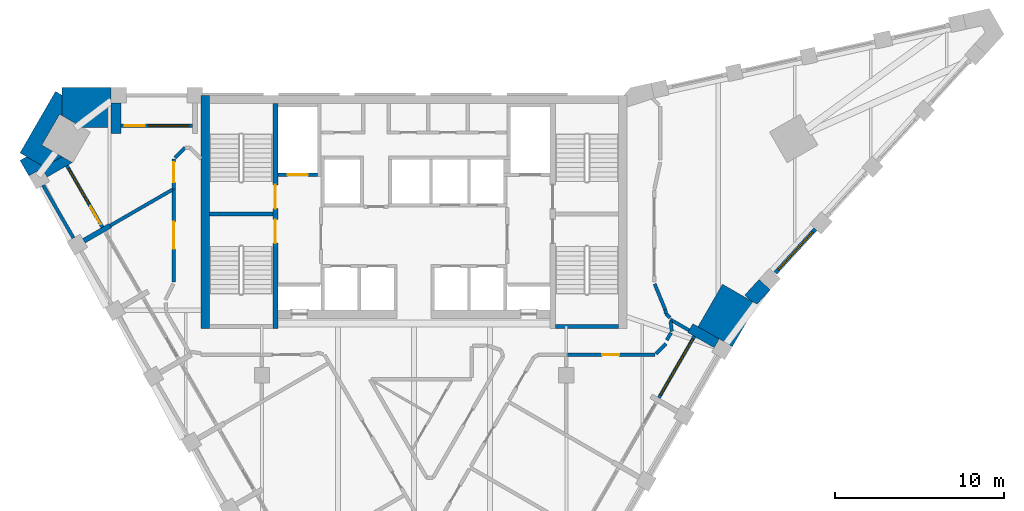
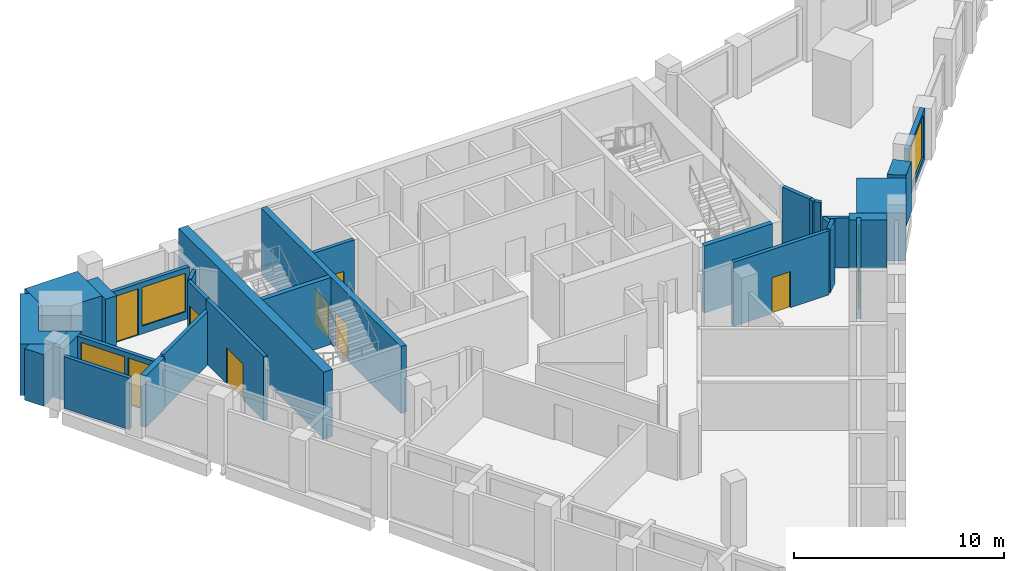
# One storey, part 5 of 9: 31 walls, 8 doors, 4 windows, 12 openings.
"""IFC4 building model written with IfcOpenShell, lengths in metres."""

from ifc_helpers import new_model, si_unit, direction, frame, frame_2d, origin, place, context, subcontext, project, spatial, polyline, rectangle, outline, extrude, material, layer, layer_set, type_object, element, fill, save


model = new_model("IFC4")

# Units and contexts
model_context = context("Model", 3, precision=1e-05, world=origin(), true_north=direction((0.0, 1.0)))
body_context = subcontext(model_context, "Body", "Model", "MODEL_VIEW")
ifc_project = project(units=[si_unit("LENGTHUNIT", "METRE"), si_unit("AREAUNIT", "SQUARE_METRE"), si_unit("VOLUMEUNIT", "CUBIC_METRE"), si_unit("PLANEANGLEUNIT", "RADIAN"), si_unit("MASSUNIT", "GRAM", prefix="KILO")], contexts=[model_context])

# Site, building, storey
site_placement = place(None, origin())
site = spatial("IfcSite", under=ifc_project, at=site_placement, CompositionType="ELEMENT")
building_placement = place(site_placement, origin())
building = spatial("IfcBuilding", under=site, at=building_placement, Name="Calabash Gate Tower", CompositionType="ELEMENT")
storey_placement = place(building_placement, frame((0.0, 0.0, 287.199951171875)))
storey = spatial("IfcBuildingStorey", under=building, at=storey_placement, Name="L69", CompositionType="ELEMENT", Elevation=287.199951171875)

# Walls
ifc_material_1 = material(Name="Terracotta brick masonry, exposed face", Category="masonry")
ifc_layer_1 = layer(ifc_material_1, 2.35009765625)
ifc_layer_set_1 = layer_set([ifc_layer_1], Name="Brick corner mass wall 2350")
wall_type_1 = type_object("IfcWallType", Name="Brick corner mass wall 2350", PredefinedType="SOLIDWALL", material=ifc_layer_set_1)
wall_1_placement = place(storey_placement, origin())
element("IfcWall", 1, at=wall_1_placement, inside=storey, type_object=wall_type_1, Name="Brick corner pier S21 2", PredefinedType="SOLIDWALL", context=body_context, shape_type="SweptSolid", body=[
    extrude(outline(polyline([(18.82275390625, 4.19482421875), (18.822509765625, 4.1943359375), (18.822509765625, 4.1943359375), (20.271240234375, 6.703125), (18.236083984375, 7.878173828125), (16.787353515625, 5.369140625), (18.04296875, 4.644287109375), (18.043212890625, 4.644775390625), (18.82275390625, 4.19482421875)])), origin(), (0.0, 0.0, 1.0), 2.80810546875),
])
wall_2_placement = place(storey_placement, origin())
element("IfcWall", 2, at=wall_2_placement, inside=storey, type_object=wall_type_1, Name="Brick corner pier S21 3a", PredefinedType="SOLIDWALL", context=body_context, shape_type="SweptSolid", body=[
    extrude(outline(polyline([(-19.6171875, 17.152587890625), (-17.915771484375, 17.152587890625), (-17.915771484375, 18.60302734375), (-17.916015625, 18.60302734375), (-17.916015625, 19.50244140625), (-20.812744140625, 19.50244140625), (-20.812744140625, 17.8427734375), (-19.6171875, 17.152587890625)])), origin(), (0.0, 0.0, 1.0), 3.0),
])
wall_3_placement = place(storey_placement, origin())
element("IfcWall", 3, at=wall_3_placement, inside=storey, type_object=wall_type_1, Name="Brick corner pier S21 3b", PredefinedType="SOLIDWALL", context=body_context, shape_type="SweptSolid", body=[
    extrude(outline(polyline([(-20.957275390625, 17.92626953125), (-20.812744140625, 17.8427734375), (-20.812744140625, 19.052490234375), (-21.202392578125, 19.277587890625), (-23.301025390625, 15.64306640625), (-21.862548828125, 14.8125), (-20.813232421875, 15.418212890625), (-22.00732421875, 16.107666015625), (-20.957275390625, 17.92626953125)])), origin(), (0.0, 0.0, 1.0), 3.0),
])
wall_4_placement = place(storey_placement, origin())
element("IfcWall", 4, at=wall_4_placement, inside=storey, type_object=wall_type_1, Name="Brick corner pier S21 3c", PredefinedType="SOLIDWALL", context=body_context, shape_type="SweptSolid", body=[
    extrude(outline(polyline([(-21.997314453125, 14.734619140625), (-21.862548828125, 14.8125), (-22.9111328125, 15.41796875), (-23.301025390625, 15.19287109375), (-22.776611328125, 14.28466796875), (-21.997314453125, 14.734619140625), (-21.997314453125, 14.734619140625)])), origin(), (0.0, 0.0, 1.0), 3.0),
])
ifc_material_2 = material(Name="Terracotta brick masonry, exposed face", Category="masonry")
ifc_layer_2 = layer(ifc_material_2, 0.89990234375)
ifc_layer_set_2 = layer_set([ifc_layer_2], Name="Brick end wall 900")
wall_type_2 = type_object("IfcWallType", Name="Brick end wall 900", PredefinedType="SOLIDWALL", material=ifc_layer_set_2)
wall_5_placement = place(storey_placement, origin())
element("IfcWall", 5, at=wall_5_placement, inside=storey, type_object=wall_type_2, Name="Brick end wall S21 1", PredefinedType="SOLIDWALL", context=body_context, shape_type="SweptSolid", body=[
    extrude(outline(polyline([(20.394775390625, 8.15625), (19.54931640625, 7.23193359375), (19.88134765625, 6.92822265625), (20.271240234375, 6.703125), (20.24658203125, 6.66064453125), (21.058837890625, 7.548828125), (20.394775390625, 8.15625)])), origin(), (0.0, 0.0, 1.0), 2.9736328125),
])
ifc_material_3 = material(Name="Terracotta brick masonry, exposed face", Category="masonry")
ifc_layer_3 = layer(ifc_material_3, 0.300048828125)
ifc_layer_set_3 = layer_set([ifc_layer_3], Name="Brick loggia cheek wall 300")
wall_type_3 = type_object("IfcWallType", Name="Brick loggia cheek wall 300", PredefinedType="SOLIDWALL", material=ifc_layer_set_3)
wall_6_placement = place(storey_placement, origin())
element("IfcWall", 6, at=wall_6_placement, inside=storey, type_object=wall_type_3, Name="Loggia cheek S21 SW0.0", PredefinedType="SOLIDWALL", context=body_context, shape_type="SweptSolid", body=[
    extrude(outline(polyline([(-21.9970703125, 14.73486328125), (-21.697265625, 14.215087890625), (-20.21337890625, 15.07177734375), (-20.813232421875, 15.418212890625), (-21.9970703125, 14.73486328125)])), origin(), (0.0, 0.0, 1.0), 3.0),
])
wall_7_placement = place(storey_placement, frame((-17.96337890625, 11.347900390625, 0.0), z_axis=(0.0, 0.0, 1.0), x_axis=(-0.866047807691, -0.499961193289, 0.0)))
element("IfcWall", 7, at=wall_7_placement, inside=storey, type_object=wall_type_3, Name="Loggia cheek S21 SW0.1", PredefinedType="SOLIDWALL", context=body_context, shape_type="SweptSolid", body=[
    extrude(rectangle(XDim=1.800048828125, YDim=0.300048828125, at=frame_2d((0.89990234375, 0.0))), origin(), (0.0, 0.0, 1.0), 3.0),
])
wall_8_placement = place(storey_placement, frame((17.89306640625, 4.384521484375, 0.0), z_axis=(0.0, 0.0, 1.0), x_axis=(-0.866047807691, 0.499961193289, 0.0)))
element("IfcWall", 8, at=wall_8_placement, inside=storey, type_object=wall_type_3, Name="Loggia cheek S21 SE2.6", PredefinedType="SOLIDWALL", context=body_context, shape_type="SweptSolid", body=[
    extrude(rectangle(XDim=1.800048828125, YDim=0.60009765625, at=frame_2d((0.89990234375, 0.0))), origin(), (0.0, 0.0, 1.0), 2.80810546875),
])
wall_9_placement = place(storey_placement, origin())
element("IfcWall", 9, at=wall_9_placement, inside=storey, type_object=wall_type_3, Name="Loggia cheek S21 N6.6", PredefinedType="SOLIDWALL", context=body_context, shape_type="SweptSolid", body=[
    extrude(outline(polyline([(-17.915771484375, 18.6025390625), (-17.915771484375, 16.802490234375), (-17.315673828125, 16.802490234375), (-17.315673828125, 18.6025390625), (-17.915771484375, 18.6025390625)])), origin(), (0.0, 0.0, 1.0), 3.0),
])
ifc_material_4 = material(Name="Concrete C60/75", Category="concrete")
ifc_layer_4 = layer(ifc_material_4, 0.25)
ifc_layer_set_4 = layer_set([ifc_layer_4], Name="Core wall 250 Concrete C60/75")
wall_type_4 = type_object("IfcWallType", Name="Core wall 250 Concrete C60/75", PredefinedType="SHEAR", material=ifc_layer_set_4)
for number, where, z_axis, x_axis, name in (
    (10, (-12.10009765625, 12.027587890625, 0.0), (0.0, 0.0, 1.0), (1.0, 0.0, 0.0), "Core wall Z5-MIDW L69"),
    (11, (8.35009765625, 5.377685546875, 0.0), (0.0, 0.0, 1.0), (1.0, 0.0, 0.0), "Core wall Z5-SSE L69"),
):
    element("IfcWall", number, at=place(storey_placement, frame(where, z_axis=z_axis, x_axis=x_axis)), inside=storey, type_object=wall_type_4, Name=name, PredefinedType="SHEAR", context=body_context, shape_type="SweptSolid", body=[
        extrude(rectangle(XDim=3.75, YDim=0.25, at=frame_2d((1.875, 0.0))), origin(), (0.0, 0.0, 1.0), 3.900146484375),
    ])

# Wall, openings, doors
ifc_material_5 = material(Name="Concrete C60/75", Category="concrete")
ifc_layer_5 = layer(ifc_material_5, 0.300048828125)
ifc_layer_set_5 = layer_set([ifc_layer_5], Name="Core wall 300 Concrete C60/75")
wall_type_5 = type_object("IfcWallType", Name="Core wall 300 Concrete C60/75", PredefinedType="SHEAR", material=ifc_layer_set_5)
wall_10_placement = place(storey_placement, frame((-8.199951171875, 5.252685546875, 0.0), z_axis=(0.0, 0.0, 1.0), x_axis=(0.0, 1.0, 0.0)))
wall_10 = element("IfcWall", 12, at=wall_10_placement, inside=storey, type_object=wall_type_5, Name="Core wall Z5-PARTW L69", PredefinedType="SHEAR", context=body_context, shape_type="SweptSolid", body=[
    extrude(rectangle(XDim=13.2998046875, YDim=0.300048828125, at=frame_2d((6.64990234375, 0.0))), origin(), (0.0, 0.0, 1.0), 3.900146484375),
])
opening_1_placement = place(wall_10_placement, frame((7.10009765625, 0.0, 0.0)))
opening_1 = element("IfcOpeningElement", 13, at=opening_1_placement, cuts=wall_10, Name="Opening O13-010", PredefinedType="OPENING", context=body_context, shape_type="SweptSolid", body=[
    extrude(rectangle(XDim=1.39990234375, YDim=2.10009765625, at=frame_2d((0.699951171875, 1.050048828125))), frame((0.0, 0.159912109375, 0.0), z_axis=(0.0, -1.0, 0.0), x_axis=(1.0, 0.0, 0.0)), (0.0, 0.0, 1.0), 0.320068359375),
])
opening_2_placement = place(wall_10_placement, frame((5.050048828125, 0.0, 0.0)))
opening_2 = element("IfcOpeningElement", 14, at=opening_2_placement, cuts=wall_10, Name="Opening O13-011", PredefinedType="OPENING", context=body_context, shape_type="SweptSolid", body=[
    extrude(rectangle(XDim=1.39990234375, YDim=2.10009765625, at=frame_2d((0.699951171875, 1.050048828125))), frame((0.0, 0.159912109375, 0.0), z_axis=(0.0, -1.0, 0.0), x_axis=(1.0, 0.0, 0.0)), (0.0, 0.0, 1.0), 0.320068359375),
])
ifc_material_6 = material(Name="Steel fire door set with fire-resisting glazing", Category="steel")
door_type_1 = type_object("IfcDoorType", Name="Fire door D05 1400x2100 FD90", OperationType="NOTDEFINED", PredefinedType="DOOR", material=ifc_material_6)
door_1_placement = place(opening_1_placement, origin())
door_1 = element("IfcDoor", 15, at=door_1_placement, inside=storey, type_object=door_type_1, Name="Exit stair door ST1", OperationType="SINGLE_SWING_LEFT", OverallHeight=2.10009765625, OverallWidth=1.39990234375, PredefinedType="DOOR", context=body_context, shape_type="SweptSolid", body=[
    extrude(rectangle(XDim=1.39990234375, YDim=2.10009765625, at=frame_2d((0.699951171875, 1.050048828125))), frame((0.0, 0.02490234375, 0.0), z_axis=(0.0, -1.0, 0.0), x_axis=(1.0, 0.0, 0.0)), (0.0, 0.0, 1.0), 0.050048828125),
])
fill(opening_1, door_1)
door_2_placement = place(opening_2_placement, origin())
door_2 = element("IfcDoor", 16, at=door_2_placement, inside=storey, type_object=door_type_1, Name="Exit stair door ST2", OperationType="SINGLE_SWING_LEFT", OverallHeight=2.10009765625, OverallWidth=1.39990234375, PredefinedType="DOOR", context=body_context, shape_type="SweptSolid", body=[
    extrude(rectangle(XDim=1.39990234375, YDim=2.10009765625, at=frame_2d((0.699951171875, 1.050048828125))), frame((0.0, 0.02490234375, 0.0), z_axis=(0.0, -1.0, 0.0), x_axis=(1.0, 0.0, 0.0)), (0.0, 0.0, 1.0), 0.050048828125),
])
fill(opening_2, door_2)

# Wall
ifc_material_7 = material(Name="Concrete C60/75", Category="concrete")
ifc_layer_6 = layer(ifc_material_7, 0.5)
ifc_layer_set_6 = layer_set([ifc_layer_6], Name="Core wall 500 Concrete C60/75")
wall_type_6 = type_object("IfcWallType", Name="Core wall 500 Concrete C60/75", PredefinedType="SHEAR", material=ifc_layer_set_6)
wall_11_placement = place(storey_placement, frame((-12.35009765625, 5.252685546875, 0.0), z_axis=(0.0, 0.0, 1.0), x_axis=(0.0, 1.0, 0.0)))
element("IfcWall", 17, at=wall_11_placement, inside=storey, type_object=wall_type_6, Name="Core wall Z5-COLW L69", PredefinedType="SHEAR", context=body_context, shape_type="SweptSolid", body=[
    extrude(rectangle(XDim=13.7998046875, YDim=0.5, at=frame_2d((6.89990234375, 0.0))), origin(), (0.0, 0.0, 1.0), 3.900146484375),
])

# Wall, opening, door
ifc_material_8 = material(Name="Gypsum board on steel studs, mineral wool", Category="steel")
ifc_layer_7 = layer(ifc_material_8, 0.199951171875)
ifc_layer_set_7 = layer_set([ifc_layer_7], Name="Partition 200 gypsum board EI 60")
wall_type_7 = type_object("IfcWallType", Name="Partition 200 gypsum board EI 60", PredefinedType="PARTITIONING", material=ifc_layer_set_7)
wall_12_placement = place(storey_placement, frame((9.0, 3.697998046875, 0.0), z_axis=(0.0, 0.0, 1.0), x_axis=(0.999999960926, 0.000279550844, 0.0)))
wall_12 = element("IfcWall", 18, at=wall_12_placement, inside=storey, type_object=wall_type_7, Name="Partition", PredefinedType="PARTITIONING", context=body_context, shape_type="SweptSolid", body=[
    extrude(rectangle(XDim=5.239990234375, YDim=0.199951171875, at=frame_2d((2.6201171875, 0.0))), origin(), (0.0, 0.0, 1.0), 3.72998046875),
])
opening_3_placement = place(wall_12_placement, frame((2.118896484375, 0.0, 0.0)))
opening_3 = element("IfcOpeningElement", 19, at=opening_3_placement, cuts=wall_12, Name="Opening 69-70-009", PredefinedType="OPENING", context=body_context, shape_type="SweptSolid", body=[
    extrude(rectangle(XDim=1.0, YDim=2.10009765625, at=frame_2d((0.5, 1.050048828125))), frame((0.0, 0.10986328125, 0.0), z_axis=(0.0, -1.0, 0.0), x_axis=(1.0, 0.0, 0.0)), (0.0, 0.0, 1.0), 0.219970703125),
])
ifc_material_9 = material(Name="Steel fire door set with fire-resisting glazing", Category="steel")
door_type_2 = type_object("IfcDoorType", Name="LD2 Meeting room door 1000x2100", OperationType="NOTDEFINED", PredefinedType="DOOR", material=ifc_material_9)
door_3_placement = place(opening_3_placement, origin())
door_3 = element("IfcDoor", 20, at=door_3_placement, inside=storey, type_object=door_type_2, Name="Meeting room door", OperationType="SINGLE_SWING_LEFT", OverallHeight=2.10009765625, OverallWidth=1.0, PredefinedType="DOOR", context=body_context, shape_type="SweptSolid", body=[
    extrude(rectangle(XDim=1.0, YDim=2.10009765625, at=frame_2d((0.5, 1.050048828125))), frame((0.0, 0.02490234375, 0.0), z_axis=(0.0, -1.0, 0.0), x_axis=(1.0, 0.0, 0.0)), (0.0, 0.0, 1.0), 0.050048828125),
])
fill(opening_3, door_3)

# Walls
wall_13_placement = place(storey_placement, frame((14.310791015625, 3.770263671875, 0.0), z_axis=(0.0, 0.0, 1.0), x_axis=(0.707253195258, 0.706960336792, 0.0)))
element("IfcWall", 21, at=wall_13_placement, inside=storey, type_object=wall_type_7, Name="Partition", PredefinedType="PARTITIONING", context=body_context, shape_type="SweptSolid", body=[
    extrude(rectangle(XDim=0.833740234375, YDim=0.199951171875, at=frame_2d((0.4169921875, 0.0))), origin(), (0.0, 0.0, 1.0), 3.72998046875),
])
wall_14_placement = place(storey_placement, frame((14.94384765625, 4.5751953125, 0.0), z_axis=(0.0, 0.0, 1.0), x_axis=(0.500261223325, 0.865874533889, 0.0)))
element("IfcWall", 22, at=wall_14_placement, inside=storey, type_object=wall_type_7, Name="Partition", PredefinedType="PARTITIONING", context=body_context, shape_type="SweptSolid", body=[
    extrude(rectangle(XDim=0.496826171875, YDim=0.199951171875, at=frame_2d((0.24853515625, 0.0))), origin(), (0.0, 0.0, 1.0), 2.9501953125),
])
wall_15_placement = place(storey_placement, frame((15.150146484375, 5.79248046875, 0.0), z_axis=(0.0, 0.0, 1.0), x_axis=(0.866759924499, -0.49872560921, 0.0)))
element("IfcWall", 23, at=wall_15_placement, inside=storey, type_object=wall_type_7, Name="Partition", PredefinedType="PARTITIONING", context=body_context, shape_type="SweptSolid", body=[
    extrude(rectangle(XDim=1.279541015625, YDim=0.199951171875, at=frame_2d((0.6396484375, 0.0))), origin(), (0.0, 0.0, 1.0), 2.884033203125),
])
wall_16_placement = place(storey_placement, frame((15.164306640625, 5.694580078125, 0.0), z_axis=(0.0, 0.0, 1.0), x_axis=(0.128583301344, -0.991698711613, 0.0)))
element("IfcWall", 24, at=wall_16_placement, inside=storey, type_object=wall_type_7, Name="Partition", PredefinedType="PARTITIONING", context=body_context, shape_type="SweptSolid", body=[
    extrude(rectangle(XDim=0.607666015625, YDim=0.199951171875, at=frame_2d((0.3037109375, 0.0))), origin(), (0.0, 0.0, 1.0), 2.9501953125),
])
wall_17_placement = place(storey_placement, frame((14.8994140625, 6.127197265625, 0.0), z_axis=(0.0, 0.0, 1.0), x_axis=(0.707106781187, -0.707106781187, 0.0)))
element("IfcWall", 25, at=wall_17_placement, inside=storey, type_object=wall_type_7, Name="Partition", PredefinedType="PARTITIONING", context=body_context, shape_type="SweptSolid", body=[
    extrude(rectangle(XDim=0.336669921875, YDim=0.199951171875, at=frame_2d((0.16845703125, 0.0))), origin(), (0.0, 0.0, 1.0), 3.72998046875),
])
wall_18_placement = place(storey_placement, frame((14.8505859375, 6.37353515625, 0.0), z_axis=(0.0, 0.0, 1.0), x_axis=(0.194433250977, -0.980915751181, 0.0)))
element("IfcWall", 26, at=wall_18_placement, inside=storey, type_object=wall_type_7, Name="Partition", PredefinedType="PARTITIONING", context=body_context, shape_type="SweptSolid", body=[
    extrude(rectangle(XDim=0.251220703125, YDim=0.199951171875, at=frame_2d((0.12548828125, 0.0))), origin(), (0.0, 0.0, 1.0), 3.72998046875),
])
wall_19_placement = place(storey_placement, frame((14.22509765625, 7.892822265625, 0.0), z_axis=(0.0, 0.0, 1.0), x_axis=(0.380697489052, -0.924699638709, 0.0)))
element("IfcWall", 27, at=wall_19_placement, inside=storey, type_object=wall_type_7, Name="Partition", PredefinedType="PARTITIONING", context=body_context, shape_type="SweptSolid", body=[
    extrude(rectangle(XDim=1.64306640625, YDim=0.199951171875, at=frame_2d((0.821533203125, 0.0))), origin(), (0.0, 0.0, 1.0), 3.72998046875),
])

# Wall, opening, door
wall_20_placement = place(storey_placement, frame((-14.201904296875, 13.51953125, 0.0), z_axis=(0.0, 0.0, 1.0), x_axis=(0.000266228859, -0.999999964561, 0.0)))
wall_20 = element("IfcWall", 28, at=wall_20_placement, inside=storey, type_object=wall_type_7, Name="Partition", PredefinedType="PARTITIONING", context=body_context, shape_type="SweptSolid", body=[
    extrude(rectangle(XDim=5.502197265625, YDim=0.199951171875, at=frame_2d((2.7509765625, 0.0))), origin(), (0.0, 0.0, 1.0), 3.72998046875),
])
opening_4_placement = place(wall_20_placement, frame((1.94970703125, 0.0, 0.0)))
opening_4 = element("IfcOpeningElement", 29, at=opening_4_placement, cuts=wall_20, Name="Opening 69-70-005", PredefinedType="OPENING", context=body_context, shape_type="SweptSolid", body=[
    extrude(rectangle(XDim=1.60009765625, YDim=2.10009765625, at=frame_2d((0.800048828125, 1.050048828125))), frame((0.0, 0.10986328125, 0.0), z_axis=(0.0, -1.0, 0.0), x_axis=(1.0, 0.0, 0.0)), (0.0, 0.0, 1.0), 0.219970703125),
])
ifc_material_10 = material(Name="Steel fire door set with fire-resisting glazing", Category="steel")
door_type_3 = type_object("IfcDoorType", Name="LD1 Lounge double door 1600x2100", OperationType="NOTDEFINED", PredefinedType="DOOR", material=ifc_material_10)
door_4_placement = place(opening_4_placement, origin())
door_4 = element("IfcDoor", 30, at=door_4_placement, inside=storey, type_object=door_type_3, Name="Lounge double door", OperationType="DOUBLE_DOOR_SINGLE_SWING", OverallHeight=2.10009765625, OverallWidth=1.60009765625, PredefinedType="DOOR", context=body_context, shape_type="SweptSolid", body=[
    extrude(rectangle(XDim=1.60009765625, YDim=2.10009765625, at=frame_2d((0.800048828125, 1.050048828125))), frame((0.0, 0.02490234375, 0.0), z_axis=(0.0, -1.0, 0.0), x_axis=(1.0, 0.0, 0.0)), (0.0, 0.0, 1.0), 0.050048828125),
])
fill(opening_4, door_4)

# Wall
wall_21_placement = place(storey_placement, frame((-17.96337890625, 11.34814453125, 0.0), z_axis=(0.0, 0.0, 1.0), x_axis=(0.866018937599, 0.500011199594, 0.0)))
element("IfcWall", 31, at=wall_21_placement, inside=storey, type_object=wall_type_7, Name="Partition", PredefinedType="PARTITIONING", context=body_context, shape_type="SweptSolid", body=[
    extrude(rectangle(XDim=4.2451171875, YDim=0.199951171875, at=frame_2d((2.12255859375, 0.0))), origin(), (0.0, 0.0, 1.0), 3.1279296875),
])

# Wall, opening, door
wall_22_placement = place(storey_placement, frame((-14.200439453125, 13.5205078125, 0.0), z_axis=(0.0, 0.0, 1.0), x_axis=(0.0, 1.0, 0.0)))
wall_22 = element("IfcWall", 32, at=wall_22_placement, inside=storey, type_object=wall_type_7, Name="Partition", PredefinedType="PARTITIONING", context=body_context, shape_type="SweptSolid", body=[
    extrude(rectangle(XDim=1.7724609375, YDim=0.199951171875, at=frame_2d((0.88623046875, 0.0))), origin(), (0.0, 0.0, 1.0), 3.72998046875),
])
opening_5_placement = place(wall_22_placement, frame((0.385009765625, 0.0, 0.0)))
opening_5 = element("IfcOpeningElement", 33, at=opening_5_placement, cuts=wall_22, Name="Opening 69-70-006", PredefinedType="OPENING", context=body_context, shape_type="SweptSolid", body=[
    extrude(rectangle(XDim=1.199951171875, YDim=2.39990234375, at=frame_2d((0.60009765625, 1.199951171875))), frame((0.0, 0.10986328125, 0.0), z_axis=(0.0, -1.0, 0.0), x_axis=(1.0, 0.0, 0.0)), (0.0, 0.0, 1.0), 0.219970703125),
])
ifc_material_11 = material(Name="Steel fire door set with fire-resisting glazing", Category="steel")
door_type_4 = type_object("IfcDoorType", Name="OD3 Boardroom door 1200x2400", OperationType="NOTDEFINED", PredefinedType="DOOR", material=ifc_material_11)
door_5_placement = place(opening_5_placement, origin())
door_5 = element("IfcDoor", 34, at=door_5_placement, inside=storey, type_object=door_type_4, Name="Boardroom door", OperationType="SINGLE_SWING_LEFT", OverallHeight=2.39990234375, OverallWidth=1.199951171875, PredefinedType="DOOR", context=body_context, shape_type="SweptSolid", body=[
    extrude(rectangle(XDim=1.199951171875, YDim=2.39990234375, at=frame_2d((0.60009765625, 1.199951171875))), frame((0.0, 0.02490234375, 0.0), z_axis=(0.0, -1.0, 0.0), x_axis=(1.0, 0.0, 0.0)), (0.0, 0.0, 1.0), 0.050048828125),
])
fill(opening_5, door_5)

# Wall
wall_23_placement = place(storey_placement, frame((-14.129638671875, 15.363525390625, 0.0), z_axis=(0.0, 0.0, 1.0), x_axis=(0.707106781187, 0.707106781187, 0.0)))
element("IfcWall", 35, at=wall_23_placement, inside=storey, type_object=wall_type_7, Name="Partition", PredefinedType="PARTITIONING", context=body_context, shape_type="SweptSolid", body=[
    extrude(rectangle(XDim=0.833740234375, YDim=0.199951171875, at=frame_2d((0.4169921875, 0.0))), origin(), (0.0, 0.0, 1.0), 3.72998046875),
])

# Wall, opening, window
ifc_material_12 = material(Name="Aluminium framed window wall with insulated spandrel", Category="aluminium")
ifc_layer_8 = layer(ifc_material_12, 0.25)
ifc_layer_set_8 = layer_set([ifc_layer_8], Name="Prow window wall 250")
wall_type_8 = type_object("IfcWallType", Name="Prow window wall 250", PredefinedType="ELEMENTEDWALL", material=ifc_layer_set_8)
wall_24_placement = place(storey_placement, frame((21.367919921875, 8.5537109375, 0.0), z_axis=(0.0, 0.0, 1.0), x_axis=(0.67487449122, 0.737932531537, 0.0)))
wall_24 = element("IfcWall", 36, at=wall_24_placement, inside=storey, type_object=wall_type_8, Name="Prow window wall S21 wedge3.1", PredefinedType="ELEMENTEDWALL", context=body_context, shape_type="SweptSolid", body=[
    extrude(rectangle(XDim=3.5, YDim=0.25, at=frame_2d((1.75, 0.0))), origin(), (0.0, 0.0, 1.0), 3.0),
])
opening_6_placement = place(wall_24_placement, frame((0.25, 0.0, 0.300048828125)))
opening_6 = element("IfcOpeningElement", 37, at=opening_6_placement, cuts=wall_24, Name="Opening WP2", PredefinedType="OPENING", context=body_context, shape_type="SweptSolid", body=[
    extrude(rectangle(XDim=3.0, YDim=2.5, at=frame_2d((1.5, 1.25))), frame((0.0, 0.135009765625, 0.0), z_axis=(0.0, -1.0, 0.0), x_axis=(1.0, 0.0, 0.0)), (0.0, 0.0, 1.0), 0.27001953125),
])
ifc_material_13 = material(Name="Anodised aluminium frame, bronze finish, impact-rated laminated clear glazing", Category="aluminium")
window_type_1 = type_object("IfcWindowType", Name="Window WP2 3000x2500", PartitioningType="DOUBLE_PANEL_VERTICAL", PredefinedType="WINDOW", material=ifc_material_13)
window_1_placement = place(opening_6_placement, origin())
window_1 = element("IfcWindow", 38, at=window_1_placement, inside=storey, type_object=window_type_1, Name="Prow window WP2 S21 wedge3.1", OverallHeight=2.5, OverallWidth=3.0, PartitioningType="SINGLE_PANEL", PredefinedType="WINDOW", context=body_context, shape_type="SweptSolid", body=[
    extrude(rectangle(XDim=3.0, YDim=2.5, at=frame_2d((1.5, 1.25))), frame((0.0, 0.030029296875, 0.0), z_axis=(0.0, -1.0, 0.0), x_axis=(1.0, 0.0, 0.0)), (0.0, 0.0, 1.0), 0.06005859375),
])
fill(opening_6, window_1)

# Wall, opening, door
ifc_material_14 = material(Name="Concrete C40/50", Category="concrete")
ifc_layer_9 = layer(ifc_material_14, 0.199951171875)
ifc_layer_set_9 = layer_set([ifc_layer_9], Name="Shaft wall 200 Concrete C40/50")
wall_type_9 = type_object("IfcWallType", Name="Shaft wall 200 Concrete C40/50", PredefinedType="SOLIDWALL", material=ifc_layer_set_9)
wall_25_placement = place(storey_placement, frame((-8.050048828125, 14.3525390625, 0.0), z_axis=(0.0, 0.0, 1.0), x_axis=(1.0, 0.0, 0.0)))
wall_25 = element("IfcWall", 39, at=wall_25_placement, inside=storey, type_object=wall_type_9, Name="Shaft wall", PredefinedType="SOLIDWALL", context=body_context, shape_type="SweptSolid", body=[
    extrude(rectangle(XDim=2.35009765625, YDim=0.199951171875, at=frame_2d((1.175048828125, 0.0))), origin(), (0.0, 0.0, 1.0), 3.72998046875),
])
opening_7_placement = place(wall_25_placement, frame((0.574951171875, 0.0, 0.0)))
opening_7 = element("IfcOpeningElement", 40, at=opening_7_placement, cuts=wall_25, Name="Opening LD-FF1", PredefinedType="OPENING", context=body_context, shape_type="SweptSolid", body=[
    extrude(rectangle(XDim=1.199951171875, YDim=2.10009765625, at=frame_2d((0.60009765625, 1.050048828125))), frame((0.0, 0.10986328125, 0.0), z_axis=(0.0, -1.0, 0.0), x_axis=(1.0, 0.0, 0.0)), (0.0, 0.0, 1.0), 0.219970703125),
])
ifc_material_15 = material(Name="Stainless steel sliding door leaves", Category="steel")
door_type_5 = type_object("IfcDoorType", Name="Lift landing door LS3 1200x2100 FD90", OperationType="DOUBLE_DOOR_SLIDING", PredefinedType="DOOR", material=ifc_material_15)
door_6_placement = place(opening_7_placement, origin())
door_6 = element("IfcDoor", 41, at=door_6_placement, inside=storey, type_object=door_type_5, Name="Lift landing door FF1", OperationType="DOUBLE_DOOR_SLIDING", OverallHeight=2.10009765625, OverallWidth=1.199951171875, PredefinedType="DOOR", context=body_context, shape_type="SweptSolid", body=[
    extrude(rectangle(XDim=1.199951171875, YDim=2.10009765625, at=frame_2d((0.60009765625, 1.050048828125))), frame((0.0, 0.02490234375, 0.0), z_axis=(0.0, -1.0, 0.0), x_axis=(1.0, 0.0, 0.0)), (0.0, 0.0, 1.0), 0.050048828125),
])
fill(opening_7, door_6)

# Wall
ifc_material_16 = material(Name="Terracotta brick masonry, perforated", Category="masonry")
ifc_layer_10 = layer(ifc_material_16, 0.199951171875)
ifc_layer_set_10 = layer_set([ifc_layer_10], Name="Terracotta jaali screen A")
wall_type_10 = type_object("IfcWallType", Name="Terracotta jaali screen A", PredefinedType="SOLIDWALL", material=ifc_layer_set_10)
wall_26_placement = place(storey_placement, frame((-21.936767578125, 13.73046875, 0.0), z_axis=(0.0, 0.0, 1.0), x_axis=(0.499931829785, -0.866064758299, 0.0)))
element("IfcWall", 42, at=wall_26_placement, inside=storey, type_object=wall_type_10, Name="SCREEN A S21 SW0.1", PredefinedType="SOLIDWALL", context=body_context, shape_type="SweptSolid", body=[
    extrude(rectangle(XDim=3.60009765625, YDim=0.199951171875, at=frame_2d((1.800048828125, 0.0))), origin(), (0.0, 0.0, 1.0), 3.0),
])

# Wall, openings, door, window
ifc_material_17 = material(Name="Aluminium framed window wall with insulated spandrel", Category="aluminium")
ifc_layer_11 = layer(ifc_material_17, 0.199951171875)
ifc_layer_set_11 = layer_set([ifc_layer_11], Name="Window wall 200")
wall_type_11 = type_object("IfcWallType", Name="Window wall 200", PredefinedType="ELEMENTEDWALL", material=ifc_layer_set_11)
wall_27_placement = place(storey_placement, frame((-20.528076171875, 14.89013671875, 0.0), z_axis=(0.0, 0.0, 1.0), x_axis=(0.500027713859, -0.866009402589, 0.0)))
wall_27 = element("IfcWall", 43, at=wall_27_placement, inside=storey, type_object=wall_type_11, Name="Window wall S21 SW0.1", PredefinedType="ELEMENTEDWALL", context=body_context, shape_type="SweptSolid", body=[
    extrude(rectangle(XDim=4.199951171875, YDim=0.199951171875, at=frame_2d((2.10009765625, 0.0))), origin(), (0.0, 0.0, 1.0), 3.0),
])
opening_8_placement = place(wall_27_placement, frame((0.199951171875, 0.0, 0.449951171875)))
opening_8 = element("IfcOpeningElement", 44, at=opening_8_placement, cuts=wall_27, Name="Opening OW1", PredefinedType="OPENING", context=body_context, shape_type="SweptSolid", body=[
    extrude(rectangle(XDim=2.39990234375, YDim=2.25, at=frame_2d((1.199951171875, 1.125))), frame((0.0, 0.10986328125, 0.0), z_axis=(0.0, -1.0, 0.0), x_axis=(1.0, 0.0, 0.0)), (0.0, 0.0, 1.0), 0.219970703125),
])
opening_9_placement = place(wall_27_placement, frame((2.800048828125, 0.0, 0.0)))
opening_9 = element("IfcOpeningElement", 45, at=opening_9_placement, cuts=wall_27, Name="Opening O13-018", PredefinedType="OPENING", context=body_context, shape_type="SweptSolid", body=[
    extrude(rectangle(XDim=1.199951171875, YDim=2.699951171875, at=frame_2d((0.60009765625, 1.35009765625))), frame((0.0, 0.10986328125, 0.0), z_axis=(0.0, -1.0, 0.0), x_axis=(1.0, 0.0, 0.0)), (0.0, 0.0, 1.0), 0.219970703125),
])
ifc_material_18 = material(Name="Anodised aluminium frame, bronze finish, impact-rated laminated clear glazing", Category="aluminium")
door_type_6 = type_object("IfcDoorType", Name="Loggia door DO1 1200x2700", OperationType="SLIDING_TO_LEFT", PredefinedType="DOOR", material=ifc_material_18)
door_7_placement = place(opening_9_placement, origin())
door_7 = element("IfcDoor", 46, at=door_7_placement, inside=storey, type_object=door_type_6, Name="Loggia door S21 SW0.1", OperationType="SINGLE_SWING_LEFT", OverallHeight=2.699951171875, OverallWidth=1.199951171875, PredefinedType="DOOR", context=body_context, shape_type="SweptSolid", body=[
    extrude(rectangle(XDim=1.199951171875, YDim=2.699951171875, at=frame_2d((0.60009765625, 1.35009765625))), frame((0.0, 0.02490234375, 0.0), z_axis=(0.0, -1.0, 0.0), x_axis=(1.0, 0.0, 0.0)), (0.0, 0.0, 1.0), 0.050048828125),
])
fill(opening_9, door_7)
ifc_material_19 = material(Name="Anodised aluminium frame, bronze finish, impact-rated laminated clear glazing", Category="aluminium")
window_type_2 = type_object("IfcWindowType", Name="Window OW1 2400x2250", PartitioningType="DOUBLE_PANEL_VERTICAL", PredefinedType="WINDOW", material=ifc_material_19)
window_2_placement = place(opening_8_placement, origin())
window_2 = element("IfcWindow", 47, at=window_2_placement, inside=storey, type_object=window_type_2, Name="Window OW1 S21 SW0.1", OverallHeight=2.25, OverallWidth=2.39990234375, PartitioningType="SINGLE_PANEL", PredefinedType="WINDOW", context=body_context, shape_type="SweptSolid", body=[
    extrude(rectangle(XDim=2.39990234375, YDim=2.25, at=frame_2d((1.199951171875, 1.125))), frame((0.0, 0.030029296875, 0.0), z_axis=(0.0, -1.0, 0.0), x_axis=(1.0, 0.0, 0.0)), (0.0, 0.0, 1.0), 0.06005859375),
])
fill(opening_8, window_2)

# Wall, opening, window
wall_28_placement = place(storey_placement, frame((14.47412109375, 1.162353515625, 0.0), z_axis=(0.0, 0.0, 1.0), x_axis=(0.49998411664, 0.866034573852, 0.0)))
wall_28 = element("IfcWall", 48, at=wall_28_placement, inside=storey, type_object=wall_type_11, Name="Window wall S21 SE2.6", PredefinedType="ELEMENTEDWALL", context=body_context, shape_type="SweptSolid", body=[
    extrude(rectangle(XDim=4.199951171875, YDim=0.199951171875, at=frame_2d((2.10009765625, 0.0))), origin(), (0.0, 0.0, 1.0), 2.9501953125),
])
opening_10_placement = place(wall_28_placement, frame((0.199951171875, 0.0, 0.449951171875)))
opening_10 = element("IfcOpeningElement", 49, at=opening_10_placement, cuts=wall_28, Name="Opening OW2", PredefinedType="OPENING", context=body_context, shape_type="SweptSolid", body=[
    extrude(rectangle(XDim=3.800048828125, YDim=2.25, at=frame_2d((1.89990234375, 1.125))), frame((0.0, 0.10986328125, 0.0), z_axis=(0.0, -1.0, 0.0), x_axis=(1.0, 0.0, 0.0)), (0.0, 0.0, 1.0), 0.219970703125),
])
ifc_material_20 = material(Name="Anodised aluminium frame, bronze finish, impact-rated laminated clear glazing", Category="aluminium")
window_type_3 = type_object("IfcWindowType", Name="Window OW2 3800x2250", PartitioningType="TRIPLE_PANEL_VERTICAL", PredefinedType="WINDOW", material=ifc_material_20)
window_3_placement = place(opening_10_placement, origin())
window_3 = element("IfcWindow", 50, at=window_3_placement, inside=storey, type_object=window_type_3, Name="Window OW2 S21 SE2.6", OverallHeight=2.25, OverallWidth=3.800048828125, PartitioningType="SINGLE_PANEL", PredefinedType="WINDOW", context=body_context, shape_type="SweptSolid", body=[
    extrude(rectangle(XDim=3.800048828125, YDim=2.25, at=frame_2d((1.89990234375, 1.125))), frame((0.0, 0.030029296875, 0.0), z_axis=(0.0, -1.0, 0.0), x_axis=(1.0, 0.0, 0.0)), (0.0, 0.0, 1.0), 0.06005859375),
])
fill(opening_10, window_3)

# Wall, openings, door, window
wall_29_placement = place(storey_placement, frame((-13.11572265625, 17.25244140625, 0.0), z_axis=(0.0, 0.0, 1.0), x_axis=(-1.0, 0.0, 0.0)))
wall_29 = element("IfcWall", 51, at=wall_29_placement, inside=storey, type_object=wall_type_11, Name="Window wall S21 N6.6", PredefinedType="ELEMENTEDWALL", context=body_context, shape_type="SweptSolid", body=[
    extrude(rectangle(XDim=4.199951171875, YDim=0.199951171875, at=frame_2d((2.10009765625, 0.0))), origin(), (0.0, 0.0, 1.0), 3.0),
])
opening_11_placement = place(wall_29_placement, frame((0.199951171875, 0.0, 0.449951171875)))
opening_11 = element("IfcOpeningElement", 52, at=opening_11_placement, cuts=wall_29, Name="Opening OW1", PredefinedType="OPENING", context=body_context, shape_type="SweptSolid", body=[
    extrude(rectangle(XDim=2.39990234375, YDim=2.25, at=frame_2d((1.199951171875, 1.125))), frame((0.0, 0.10986328125, 0.0), z_axis=(0.0, -1.0, 0.0), x_axis=(1.0, 0.0, 0.0)), (0.0, 0.0, 1.0), 0.219970703125),
])
opening_12_placement = place(wall_29_placement, frame((2.800048828125, 0.0, 0.0)))
opening_12 = element("IfcOpeningElement", 53, at=opening_12_placement, cuts=wall_29, Name="Opening O13-014", PredefinedType="OPENING", context=body_context, shape_type="SweptSolid", body=[
    extrude(rectangle(XDim=1.199951171875, YDim=2.699951171875, at=frame_2d((0.60009765625, 1.35009765625))), frame((0.0, 0.10986328125, 0.0), z_axis=(0.0, -1.0, 0.0), x_axis=(1.0, 0.0, 0.0)), (0.0, 0.0, 1.0), 0.219970703125),
])
door_8_placement = place(opening_12_placement, origin())
door_8 = element("IfcDoor", 54, at=door_8_placement, inside=storey, type_object=door_type_6, Name="Loggia door S21 N6.6", OperationType="SINGLE_SWING_LEFT", OverallHeight=2.699951171875, OverallWidth=1.199951171875, PredefinedType="DOOR", context=body_context, shape_type="SweptSolid", body=[
    extrude(rectangle(XDim=1.199951171875, YDim=2.699951171875, at=frame_2d((0.60009765625, 1.35009765625))), frame((0.0, 0.02490234375, 0.0), z_axis=(0.0, -1.0, 0.0), x_axis=(1.0, 0.0, 0.0)), (0.0, 0.0, 1.0), 0.050048828125),
])
fill(opening_12, door_8)
window_4_placement = place(opening_11_placement, origin())
window_4 = element("IfcWindow", 55, at=window_4_placement, inside=storey, type_object=window_type_2, Name="Window OW1 S21 N6.6", OverallHeight=2.25, OverallWidth=2.39990234375, PartitioningType="SINGLE_PANEL", PredefinedType="WINDOW", context=body_context, shape_type="SweptSolid", body=[
    extrude(rectangle(XDim=2.39990234375, YDim=2.25, at=frame_2d((1.199951171875, 1.125))), frame((0.0, 0.030029296875, 0.0), z_axis=(0.0, -1.0, 0.0), x_axis=(1.0, 0.0, 0.0)), (0.0, 0.0, 1.0), 0.06005859375),
])
fill(opening_11, window_4)

save(model, "model.ifc")
